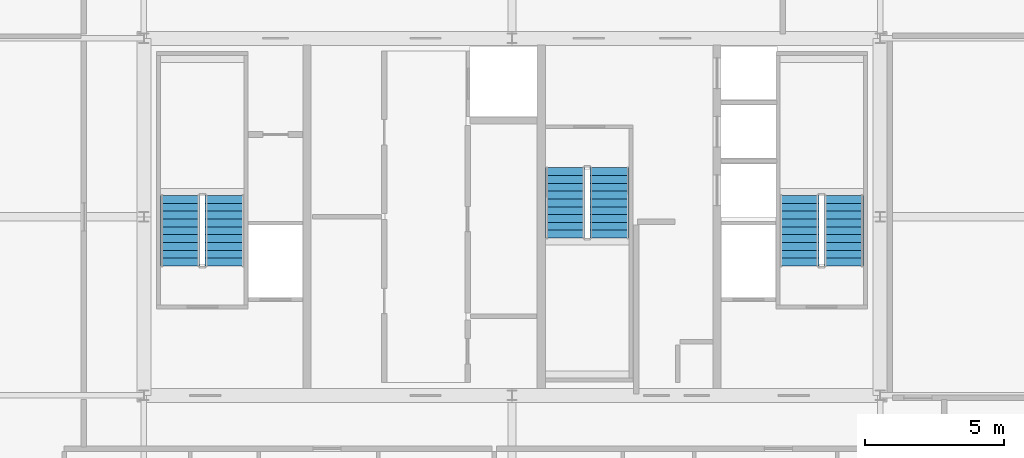
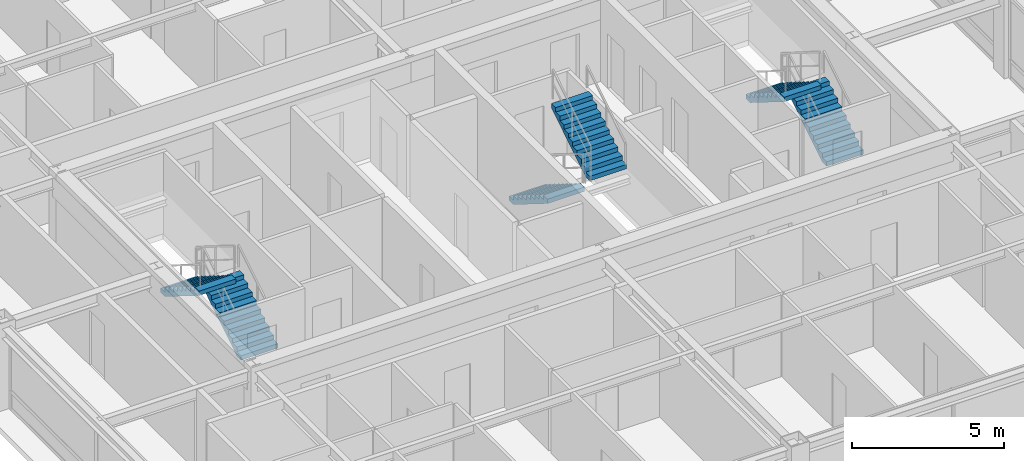
# One storey, part 34 of 35: 6 stair flights, 3 elements without a shape of their own.
"""IFC4 building model written with IfcOpenShell, lengths in metres."""

from ifc_helpers import new_model, si_unit, direction, frame, origin, place, context, subcontext, project, spatial, polyline, outline, extrude, source, transform, mapped, material, type_object, element, aggregate, save


model = new_model("IFC4")

# Units and contexts
model_context = context("Model", 3, precision=1e-05, world=origin(), true_north=direction((0.0, 1.0)))
body_context = subcontext(model_context, "Body", "Model", "MODEL_VIEW")
ifc_project = project(units=[si_unit("LENGTHUNIT", "METRE"), si_unit("AREAUNIT", "SQUARE_METRE"), si_unit("VOLUMEUNIT", "CUBIC_METRE"), si_unit("PLANEANGLEUNIT", "RADIAN"), si_unit("MASSUNIT", "GRAM", prefix="KILO"), si_unit("THERMODYNAMICTEMPERATUREUNIT", "KELVIN"), si_unit("POWERUNIT", "WATT")], contexts=[model_context])

# Site, building, storey
site_placement = place(None, origin())
site = spatial("IfcSite", under=ifc_project, at=site_placement, CompositionType="ELEMENT")
building_placement = place(site_placement, origin())
building = spatial("IfcBuilding", under=site, at=building_placement, Name="Yuzanri Waterfront Tower", CompositionType="ELEMENT")
storey_placement = place(building_placement, frame((0.0, 0.0, 296.10009765625)))
storey = spatial("IfcBuildingStorey", under=building, at=storey_placement, Name="L79", CompositionType="ELEMENT", Elevation=296.10009765625)

# Stair, stair flights
ifc_material_1 = material(Name="Concrete C40", Category="concrete")
stair_type = type_object("IfcStairType", Name="Concrete C40 Core Dogleg Exit Stair", PredefinedType="HALF_TURN_STAIR", material=ifc_material_1)
stair_1_placement = place(storey_placement, origin())
stair_1 = element("IfcStair", 1, at=stair_1_placement, inside=storey, type_object=stair_type, Name="L79 Smoke-Proof Core Stair ST-01", PredefinedType="HALF_TURN_STAIR")
ifc_material_2 = material(Name="Concrete C40", Category="concrete")
stair_flight_type = type_object("IfcStairFlightType", Name="Concrete C40 Precast Stair Flight 1380", PredefinedType="STRAIGHT", material=ifc_material_2)
shared_shape = source(origin(), body_context, "Body", "SweptSolid", [
    extrude(outline(polyline([(0.0, 0.0), (0.0, 0.175048828125), (0.280029296875, 0.175048828125), (0.280029296875, 0.35009765625), (0.56005859375, 0.35009765625), (0.56005859375, 0.52490234375), (0.840087890625, 0.52490234375), (0.840087890625, 0.699951171875), (1.1201171875, 0.699951171875), (1.1201171875, 0.875), (1.39990234375, 0.875), (1.39990234375, 1.050048828125), (1.679931640625, 1.050048828125), (1.679931640625, 1.22509765625), (1.9599609375, 1.22509765625), (1.9599609375, 1.39990234375), (2.239990234375, 1.39990234375), (2.239990234375, 1.574951171875), (2.52001953125, 1.574951171875), (2.52001953125, 1.75), (2.52001953125, 1.398193359375), (0.28271484375, 0.0), (0.0, 0.0)])), frame((0.0, 0.699951171875, 0.0), z_axis=(0.0, -1.0, 0.0), x_axis=(1.0, 0.0, 0.0)), (0.0, 0.0, 1.0), 1.39990234375),
])
stair_flight_1_placement = place(storey_placement, frame((26.699951171875, 24.0400390625, 0.0), z_axis=(0.0, 0.0, 1.0), x_axis=(0.0, 1.0, 0.0)))
stair_flight_1 = element("IfcStairFlight", 2, at=stair_flight_1_placement, type_object=stair_flight_type, Name="ST-01 flight 1", NumberOfRisers=10, NumberOfTreads=9, PredefinedType="STRAIGHT", RiserHeight=0.175, TreadLength=0.28, context=body_context, shape_type="MappedRepresentation", body=[
    mapped(shared_shape, transform((0.0, 0.0, 0.0), scale=1.0)),
])
stair_flight_2_placement = place(storey_placement, frame((25.10009765625, 26.56005859375, 1.75), z_axis=(0.0, 0.0, 1.0), x_axis=(0.0, -1.0, 0.0)))
stair_flight_2 = element("IfcStairFlight", 3, at=stair_flight_2_placement, type_object=stair_flight_type, Name="ST-01 flight 2", NumberOfRisers=10, NumberOfTreads=9, PredefinedType="STRAIGHT", RiserHeight=0.175, TreadLength=0.28, context=body_context, shape_type="MappedRepresentation", body=[
    mapped(shared_shape, transform((0.0, 0.0, 0.0), scale=1.0)),
])
aggregate(stair_1, [stair_flight_1, stair_flight_2])

stair_2_placement = place(storey_placement, origin())
stair_2 = element("IfcStair", 4, at=stair_2_placement, inside=storey, type_object=stair_type, Name="L79 Smoke-Proof Core Stair ST-02", PredefinedType="HALF_TURN_STAIR")
stair_flight_3_placement = place(storey_placement, frame((48.89990234375, 24.0400390625, 0.0), z_axis=(0.0, 0.0, 1.0), x_axis=(0.0, 1.0, 0.0)))
stair_flight_3 = element("IfcStairFlight", 5, at=stair_flight_3_placement, type_object=stair_flight_type, Name="ST-02 flight 1", NumberOfRisers=10, NumberOfTreads=9, PredefinedType="STRAIGHT", RiserHeight=0.175, TreadLength=0.28, context=body_context, shape_type="MappedRepresentation", body=[
    mapped(shared_shape, transform((0.0, 0.0, 0.0), scale=1.0)),
])
stair_flight_4_placement = place(storey_placement, frame((47.300048828125, 26.56005859375, 1.75), z_axis=(0.0, 0.0, 1.0), x_axis=(0.0, -1.0, 0.0)))
stair_flight_4 = element("IfcStairFlight", 6, at=stair_flight_4_placement, type_object=stair_flight_type, Name="ST-02 flight 2", NumberOfRisers=10, NumberOfTreads=9, PredefinedType="STRAIGHT", RiserHeight=0.175, TreadLength=0.28, context=body_context, shape_type="MappedRepresentation", body=[
    mapped(shared_shape, transform((0.0, 0.0, 0.0), scale=1.0)),
])
aggregate(stair_2, [stair_flight_3, stair_flight_4])

stair_3_placement = place(storey_placement, origin())
stair_3 = element("IfcStair", 7, at=stair_3_placement, inside=storey, type_object=stair_type, Name="L79 Smoke-Proof Core Stair ST-03", PredefinedType="HALF_TURN_STAIR")
stair_flight_5_placement = place(storey_placement, frame((38.89990234375, 27.56005859375, 0.0), z_axis=(0.0, 0.0, 1.0), x_axis=(0.0, -1.0, 0.0)))
stair_flight_5 = element("IfcStairFlight", 8, at=stair_flight_5_placement, type_object=stair_flight_type, Name="ST-03 flight 1", NumberOfRisers=10, NumberOfTreads=9, PredefinedType="STRAIGHT", RiserHeight=0.175, TreadLength=0.28, context=body_context, shape_type="MappedRepresentation", body=[
    mapped(shared_shape, transform((0.0, 0.0, 0.0), scale=1.0)),
])
stair_flight_6_placement = place(storey_placement, frame((40.5, 25.0400390625, 1.75), z_axis=(0.0, 0.0, 1.0), x_axis=(0.0, 1.0, 0.0)))
stair_flight_6 = element("IfcStairFlight", 9, at=stair_flight_6_placement, type_object=stair_flight_type, Name="ST-03 flight 2", NumberOfRisers=10, NumberOfTreads=9, PredefinedType="STRAIGHT", RiserHeight=0.175, TreadLength=0.28, context=body_context, shape_type="MappedRepresentation", body=[
    mapped(shared_shape, transform((0.0, 0.0, 0.0), scale=1.0)),
])
aggregate(stair_3, [stair_flight_5, stair_flight_6])

save(model, "model.ifc")
